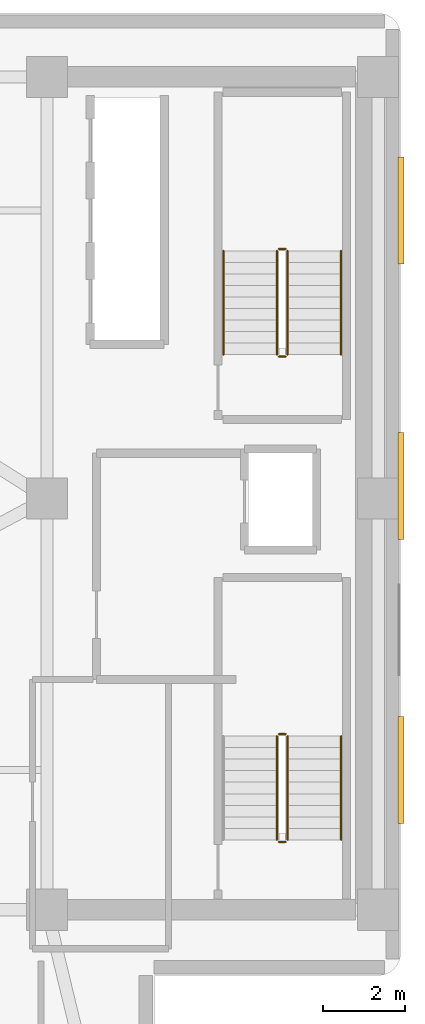
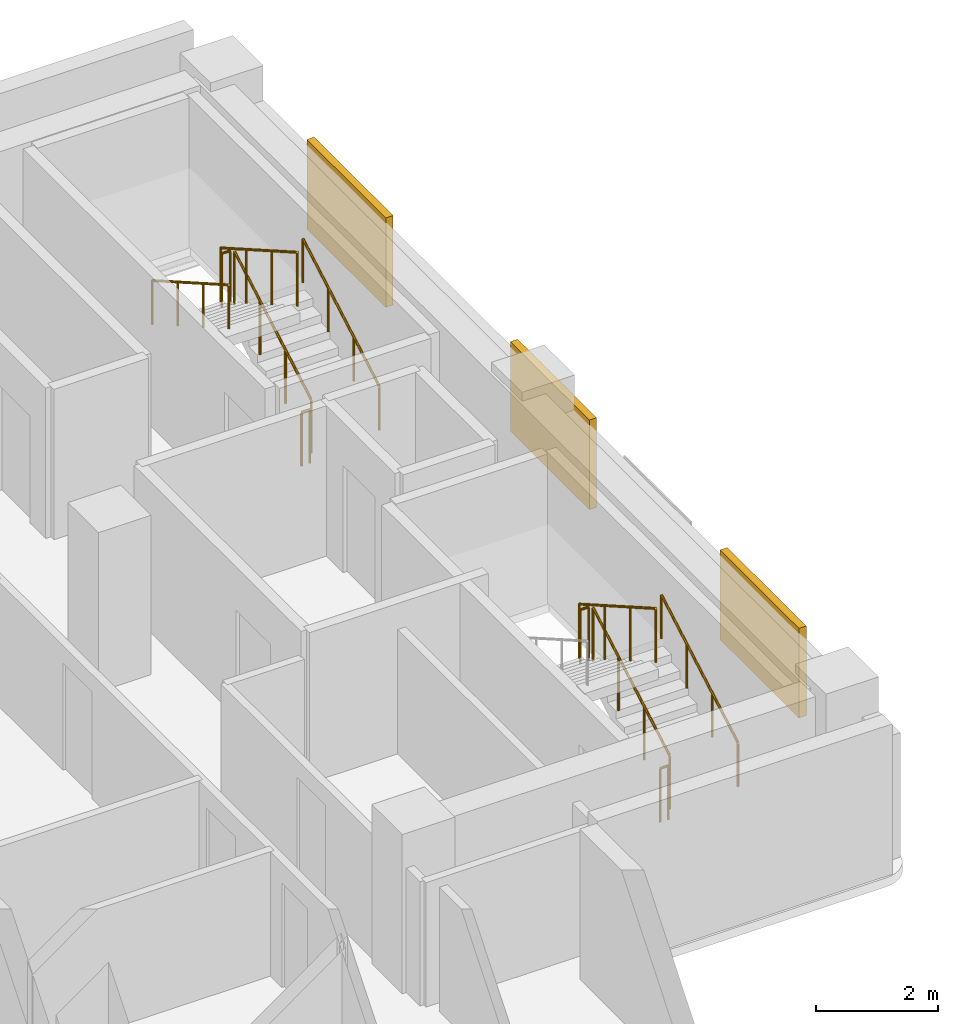
# One storey, part 17 of 17: 11 railings, 3 shading devices.
"""IFC4 building model written with IfcOpenShell, lengths in metres."""

from ifc_helpers import new_model, si_unit, direction, frame, origin, origin_2d, place, context, subcontext, project, spatial, rectangle, circle, extrude, material, layer, layer_set, type_object, element, save


model = new_model("IFC4")

# Units and contexts
model_context = context("Model", 3, precision=1e-05, world=origin(), true_north=direction((0.0, 1.0)))
body_context = subcontext(model_context, "Body", "Model", "MODEL_VIEW")
ifc_project = project(units=[si_unit("LENGTHUNIT", "METRE"), si_unit("AREAUNIT", "SQUARE_METRE"), si_unit("VOLUMEUNIT", "CUBIC_METRE"), si_unit("PLANEANGLEUNIT", "RADIAN"), si_unit("MASSUNIT", "GRAM", prefix="KILO")], contexts=[model_context])

# Site, building, storey
site_placement = place(None, origin())
site = spatial("IfcSite", under=ifc_project, at=site_placement, CompositionType="ELEMENT")
building_placement = place(site_placement, origin())
building = spatial("IfcBuilding", under=site, at=building_placement, Name="Kuzgunbayir Cultural Tower", CompositionType="ELEMENT")
storey_placement = place(building_placement, frame((0.0, 0.0, 46.800048828125)))
storey = spatial("IfcBuildingStorey", under=building, at=storey_placement, Name="L12", CompositionType="ELEMENT", Elevation=46.800048828125)

# Railings
ifc_material_1 = material(Name="Brushed Stainless Steel", Category="steel")
ifc_layer_1 = layer(ifc_material_1, 0.050048828125)
ifc_layer_set_1 = layer_set([ifc_layer_1], Name="Brushed Stainless Steel")
railing_type_1 = type_object("IfcRailingType", Name="RLG-STAIR-HANDRAIL", PredefinedType="HANDRAIL", material=ifc_layer_set_1)
for number, where, name in (
    (1, (71.75, 23.699951171875, 0.159912109375), "L12 ST-3 stair handrail 1"),
    (2, (71.75, 35.5, 0.159912109375), "L12 ST-4 stair handrail 1"),
):
    element("IfcRailing", number, at=place(storey_placement, frame(where)), inside=storey, type_object=railing_type_1, Name=name, PredefinedType="HANDRAIL", context=body_context, shape_type="SweptSolid", body=[
        extrude(circle(Radius=0.02392578125, at=origin_2d()), frame((0.0, 0.0, 0.8759765625), z_axis=(0.0, 0.868253494771, 0.496120820787), x_axis=(-1.0, 0.0, 0.0)), (0.0, 0.0, 1.0), 2.90234375),
        extrude(circle(Radius=0.02099609375, at=origin_2d()), origin(), (0.0, 0.0, 1.0), 0.851806640625),
        extrude(circle(Radius=0.02099609375, at=origin_2d()), frame((0.0, 0.840087890625, 0.47998046875)), (0.0, 0.0, 1.0), 0.851806640625),
        extrude(circle(Radius=0.02099609375, at=origin_2d()), frame((0.0, 1.679931640625, 0.9599609375)), (0.0, 0.0, 1.0), 0.851806640625),
        extrude(circle(Radius=0.02099609375, at=origin_2d()), frame((0.0, 2.52001953125, 1.43994140625)), (0.0, 0.0, 1.0), 0.851806640625),
    ])
railing_1_placement = place(storey_placement, frame((68.889892578125, 38.02001953125, 1.760009765625)))
element("IfcRailing", 3, at=railing_1_placement, inside=storey, type_object=railing_type_1, Name="L12 ST-4 stair handrail 2", PredefinedType="HANDRAIL", context=body_context, shape_type="SweptSolid", body=[
    extrude(circle(Radius=0.02392578125, at=origin_2d()), frame((0.0, 0.0, 0.8759765625), z_axis=(0.0, -0.868253494771, 0.496120820787), x_axis=(1.0, 0.0, 0.0)), (0.0, 0.0, 1.0), 2.90234375),
    extrude(circle(Radius=0.02099609375, at=origin_2d()), origin(), (0.0, 0.0, 1.0), 0.851806640625),
    extrude(circle(Radius=0.02099609375, at=origin_2d()), frame((0.0, -0.840087890625, 0.47998046875)), (0.0, 0.0, 1.0), 0.851806640625),
    extrude(circle(Radius=0.02099609375, at=origin_2d()), frame((0.0, -1.679931640625, 0.9599609375)), (0.0, 0.0, 1.0), 0.851806640625),
    extrude(circle(Radius=0.02099609375, at=origin_2d()), frame((0.0, -2.52001953125, 1.43994140625)), (0.0, 0.0, 1.0), 0.851806640625),
])
ifc_material_2 = material(Name="Painted Steel Balustrade", Category="steel")
ifc_layer_2 = layer(ifc_material_2, 0.06005859375)
ifc_layer_set_2 = layer_set([ifc_layer_2], Name="Painted Steel Balustrade")
railing_type_2 = type_object("IfcRailingType", Name="RLG-WELL-GUARD", PredefinedType="GUARDRAIL", material=ifc_layer_set_2)
railing_2_placement = place(storey_placement, frame((70.449951171875, 23.699951171875, 0.159912109375)))
element("IfcRailing", 4, at=railing_2_placement, inside=storey, type_object=railing_type_2, Name="L12 ST-3 stair guard 1", PredefinedType="GUARDRAIL", context=body_context, shape_type="SweptSolid", body=[
    extrude(circle(Radius=0.02392578125, at=origin_2d()), frame((0.0, 0.0, 1.076171875), z_axis=(0.0, 0.868253494771, 0.496120820787), x_axis=(-1.0, 0.0, 0.0)), (0.0, 0.0, 1.0), 2.90234375),
    extrude(circle(Radius=0.02099609375, at=origin_2d()), origin(), (0.0, 0.0, 1.0), 1.052001953125),
    extrude(circle(Radius=0.02099609375, at=origin_2d()), frame((0.0, 0.840087890625, 0.47998046875)), (0.0, 0.0, 1.0), 1.052001953125),
    extrude(circle(Radius=0.02099609375, at=origin_2d()), frame((0.0, 1.679931640625, 0.9599609375)), (0.0, 0.0, 1.0), 1.052001953125),
    extrude(circle(Radius=0.02099609375, at=origin_2d()), frame((0.0, 2.52001953125, 1.43994140625)), (0.0, 0.0, 1.0), 1.052001953125),
])
railing_3_placement = place(storey_placement, frame((70.39990234375, 26.27001953125, 1.599853515625)))
element("IfcRailing", 5, at=railing_3_placement, inside=storey, type_object=railing_type_2, Name="L12 ST-3 stair guard 2", PredefinedType="GUARDRAIL", context=body_context, shape_type="SweptSolid", body=[
    extrude(circle(Radius=0.02392578125, at=origin_2d()), frame((0.0, 0.0, 1.076171875), z_axis=(-1.0, 0.0, 0.0), x_axis=(0.0, -1.0, 0.0)), (0.0, 0.0, 1.0), 0.159912109375),
    extrude(circle(Radius=0.02099609375, at=origin_2d()), origin(), (0.0, 0.0, 1.0), 1.052001953125),
    extrude(circle(Radius=0.02099609375, at=origin_2d()), frame((-0.159912109375, 0.0, 0.0)), (0.0, 0.0, 1.0), 1.052001953125),
])
railing_4_placement = place(storey_placement, frame((70.18994140625, 26.219970703125, 1.760009765625)))
element("IfcRailing", 6, at=railing_4_placement, inside=storey, type_object=railing_type_2, Name="L12 ST-3 stair guard 3", PredefinedType="GUARDRAIL", context=body_context, shape_type="SweptSolid", body=[
    extrude(circle(Radius=0.02392578125, at=origin_2d()), frame((0.0, 0.0, 1.076171875), z_axis=(0.0, -0.868253494771, 0.496120820787), x_axis=(1.0, 0.0, 0.0)), (0.0, 0.0, 1.0), 2.90234375),
    extrude(circle(Radius=0.02099609375, at=origin_2d()), origin(), (0.0, 0.0, 1.0), 1.052001953125),
    extrude(circle(Radius=0.02099609375, at=origin_2d()), frame((0.0, -0.840087890625, 0.47998046875)), (0.0, 0.0, 1.0), 1.052001953125),
    extrude(circle(Radius=0.02099609375, at=origin_2d()), frame((0.0, -1.679931640625, 0.9599609375)), (0.0, 0.0, 1.0), 1.052001953125),
    extrude(circle(Radius=0.02099609375, at=origin_2d()), frame((0.0, -2.52001953125, 1.43994140625)), (0.0, 0.0, 1.0), 1.052001953125),
])
railing_5_placement = place(storey_placement, frame((70.39990234375, 23.64990234375, 0.0)))
element("IfcRailing", 7, at=railing_5_placement, inside=storey, type_object=railing_type_2, Name="L12 ST-3 stair guard 4", PredefinedType="GUARDRAIL", context=body_context, shape_type="SweptSolid", body=[
    extrude(circle(Radius=0.02392578125, at=origin_2d()), frame((0.0, 0.0, 1.076171875), z_axis=(-1.0, 0.0, 0.0), x_axis=(0.0, -1.0, 0.0)), (0.0, 0.0, 1.0), 0.159912109375),
    extrude(circle(Radius=0.02099609375, at=origin_2d()), origin(), (0.0, 0.0, 1.0), 1.052001953125),
    extrude(circle(Radius=0.02099609375, at=origin_2d()), frame((-0.159912109375, 0.0, 0.0)), (0.0, 0.0, 1.0), 1.052001953125),
])
railing_6_placement = place(storey_placement, frame((70.449951171875, 35.5, 0.159912109375)))
element("IfcRailing", 8, at=railing_6_placement, inside=storey, type_object=railing_type_2, Name="L12 ST-4 stair guard 1", PredefinedType="GUARDRAIL", context=body_context, shape_type="SweptSolid", body=[
    extrude(circle(Radius=0.02392578125, at=origin_2d()), frame((0.0, 0.0, 1.076171875), z_axis=(0.0, 0.868253494771, 0.496120820787), x_axis=(-1.0, 0.0, 0.0)), (0.0, 0.0, 1.0), 2.90234375),
    extrude(circle(Radius=0.02099609375, at=origin_2d()), origin(), (0.0, 0.0, 1.0), 1.052001953125),
    extrude(circle(Radius=0.02099609375, at=origin_2d()), frame((0.0, 0.840087890625, 0.47998046875)), (0.0, 0.0, 1.0), 1.052001953125),
    extrude(circle(Radius=0.02099609375, at=origin_2d()), frame((0.0, 1.679931640625, 0.9599609375)), (0.0, 0.0, 1.0), 1.052001953125),
    extrude(circle(Radius=0.02099609375, at=origin_2d()), frame((0.0, 2.52001953125, 1.43994140625)), (0.0, 0.0, 1.0), 1.052001953125),
])
railing_7_placement = place(storey_placement, frame((70.39990234375, 38.070068359375, 1.599853515625)))
element("IfcRailing", 9, at=railing_7_placement, inside=storey, type_object=railing_type_2, Name="L12 ST-4 stair guard 2", PredefinedType="GUARDRAIL", context=body_context, shape_type="SweptSolid", body=[
    extrude(circle(Radius=0.02392578125, at=origin_2d()), frame((0.0, 0.0, 1.076171875), z_axis=(-1.0, 0.0, 0.0), x_axis=(0.0, -1.0, 0.0)), (0.0, 0.0, 1.0), 0.159912109375),
    extrude(circle(Radius=0.02099609375, at=origin_2d()), origin(), (0.0, 0.0, 1.0), 1.052001953125),
    extrude(circle(Radius=0.02099609375, at=origin_2d()), frame((-0.159912109375, 0.0, 0.0)), (0.0, 0.0, 1.0), 1.052001953125),
])
railing_8_placement = place(storey_placement, frame((70.18994140625, 38.02001953125, 1.760009765625)))
element("IfcRailing", 10, at=railing_8_placement, inside=storey, type_object=railing_type_2, Name="L12 ST-4 stair guard 3", PredefinedType="GUARDRAIL", context=body_context, shape_type="SweptSolid", body=[
    extrude(circle(Radius=0.02392578125, at=origin_2d()), frame((0.0, 0.0, 1.076171875), z_axis=(0.0, -0.868253494771, 0.496120820787), x_axis=(1.0, 0.0, 0.0)), (0.0, 0.0, 1.0), 2.90234375),
    extrude(circle(Radius=0.02099609375, at=origin_2d()), origin(), (0.0, 0.0, 1.0), 1.052001953125),
    extrude(circle(Radius=0.02099609375, at=origin_2d()), frame((0.0, -0.840087890625, 0.47998046875)), (0.0, 0.0, 1.0), 1.052001953125),
    extrude(circle(Radius=0.02099609375, at=origin_2d()), frame((0.0, -1.679931640625, 0.9599609375)), (0.0, 0.0, 1.0), 1.052001953125),
    extrude(circle(Radius=0.02099609375, at=origin_2d()), frame((0.0, -2.52001953125, 1.43994140625)), (0.0, 0.0, 1.0), 1.052001953125),
])
railing_9_placement = place(storey_placement, frame((70.39990234375, 35.449951171875, 0.0)))
element("IfcRailing", 11, at=railing_9_placement, inside=storey, type_object=railing_type_2, Name="L12 ST-4 stair guard 4", PredefinedType="GUARDRAIL", context=body_context, shape_type="SweptSolid", body=[
    extrude(circle(Radius=0.02392578125, at=origin_2d()), frame((0.0, 0.0, 1.076171875), z_axis=(-1.0, 0.0, 0.0), x_axis=(0.0, -1.0, 0.0)), (0.0, 0.0, 1.0), 0.159912109375),
    extrude(circle(Radius=0.02099609375, at=origin_2d()), origin(), (0.0, 0.0, 1.0), 1.052001953125),
    extrude(circle(Radius=0.02099609375, at=origin_2d()), frame((-0.159912109375, 0.0, 0.0)), (0.0, 0.0, 1.0), 1.052001953125),
])

# Shading devices
ifc_material_3 = material(Name="Perforated Bronze-Anodised Aluminium", Category="aluminium")
shading_device_type = type_object("IfcShadingDeviceType", Name="SHD-SOLAR-BRONZE", PredefinedType="JALOUSIE", material=ifc_material_3)
for number, where, z_axis, x_axis, name in (
    (12, (73.2099609375, 25.39990234375, 0.7998046875), (0.0, 0.0, 1.0), (1.0, 0.0, 0.0), "L12 Companion East Bronze Solar Screen 25"),
    (13, (73.2099609375, 32.300048828125, 0.7998046875), (0.0, 0.0, 1.0), (1.0, 0.0, 0.0), "L12 Companion East Bronze Solar Screen 32"),
    (14, (73.2099609375, 39.0, 0.7998046875), (0.0, 0.0, 1.0), (1.0, 0.0, 0.0), "L12 Companion East Bronze Solar Screen 39"),
):
    element("IfcShadingDevice", number, at=place(storey_placement, frame(where, z_axis=z_axis, x_axis=x_axis)), inside=storey, type_object=shading_device_type, Name=name, PredefinedType="JALOUSIE", context=body_context, shape_type="SweptSolid", body=[
        extrude(rectangle(XDim=0.139892578125, YDim=2.60009765625, at=origin_2d()), origin(), (0.0, 0.0, 1.0), 1.800048828125),
    ])

save(model, "model.ifc")
